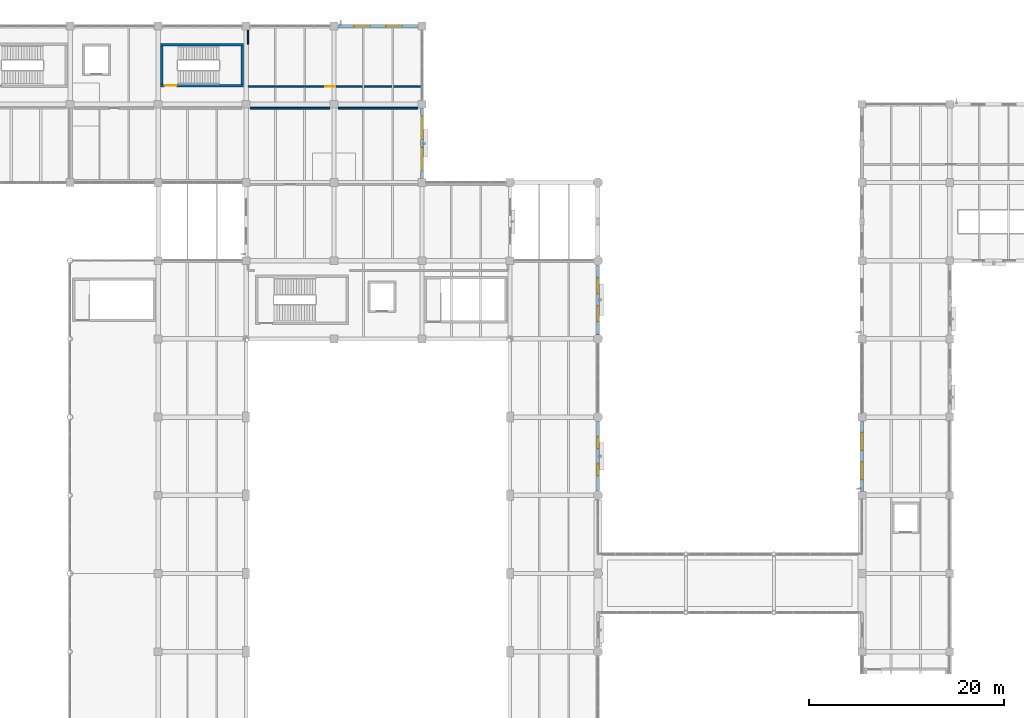
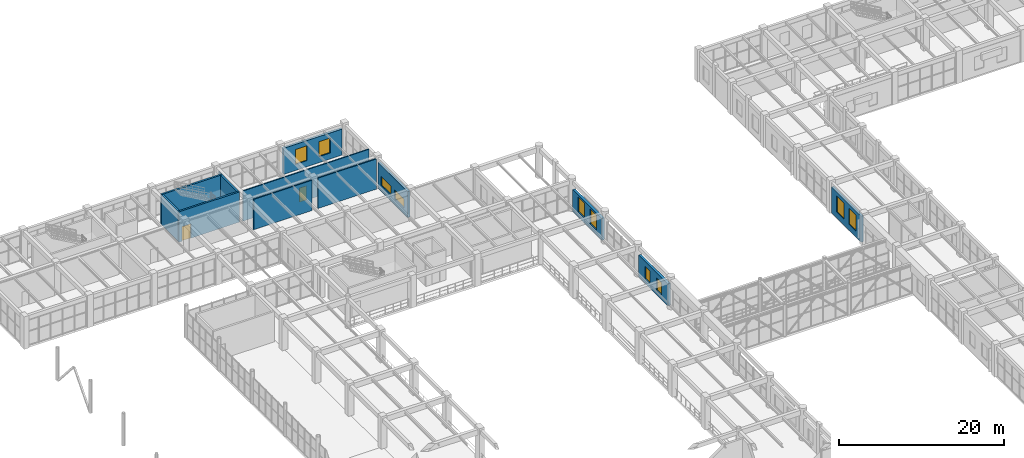
# One storey, part 155 of 178: 13 walls, 10 windows, 2 doors, 12 openings.
"""IFC4 building model written with IfcOpenShell, lengths in metres."""

from ifc_helpers import new_model, si_unit, derived_unit, direction, frame, frame_2d, origin, place, context, subcontext, project, spatial, rectangle, extrude, material, layer, layer_set, type_object, element, fill, save


model = new_model("IFC4")

# Units and contexts
model_context = context("Model", 3, precision=1e-05, world=origin(), true_north=direction((0.0, 1.0)))
body_context = subcontext(model_context, "Body", "Model", "MODEL_VIEW")
ifc_project = project(units=[si_unit("LENGTHUNIT", "METRE"), si_unit("AREAUNIT", "SQUARE_METRE"), si_unit("VOLUMEUNIT", "CUBIC_METRE"), si_unit("PLANEANGLEUNIT", "RADIAN"), si_unit("MASSUNIT", "GRAM", prefix="KILO"), derived_unit("THERMALTRANSMITTANCEUNIT", [(si_unit("MASSUNIT", "GRAM", prefix="KILO"), 1), (si_unit("TIMEUNIT", "SECOND"), -3), (si_unit("THERMODYNAMICTEMPERATUREUNIT", "KELVIN"), -1)])], contexts=[model_context])

# Site, building, storey
site_placement = place(None, origin())
site = spatial("IfcSite", under=ifc_project, at=site_placement, CompositionType="ELEMENT")
building_placement = place(site_placement, origin())
building = spatial("IfcBuilding", under=site, at=building_placement, Name="Zhenchuan Archway Interchange", CompositionType="ELEMENT")
storey_placement = place(building_placement, frame((0.0, 0.0, 5.39990234375)))
storey = spatial("IfcBuildingStorey", under=building, at=storey_placement, Name="L01", CompositionType="ELEMENT", Elevation=5.39990234375)

# Wall, openings, windows
ifc_material_1 = material(Name="Granite Stone Cladding", Category="masonry")
ifc_layer_1 = layer(ifc_material_1, 0.320068359375)
ifc_layer_set_1 = layer_set([ifc_layer_1], Name="Granite Stone Cladding")
wall_type_1 = type_object("IfcWallType", Name="EW_GRANITE_320", PredefinedType="STANDARD", material=ifc_layer_set_1)
wall_1_placement = place(storey_placement, frame((99.0, 64.39794921875, 0.0), z_axis=(0.0, 0.0, 1.0), x_axis=(0.0, 1.0, 0.0)))
wall_1 = element("IfcWall", 1, at=wall_1_placement, inside=storey, type_object=wall_type_1, Name="Exterior wall L01-039", PredefinedType="STANDARD", context=body_context, shape_type="SweptSolid", body=[
    extrude(rectangle(XDim=7.2041015625, YDim=0.320068359375, at=frame_2d((3.60205078125, 0.0))), origin(), (0.0, 0.0, 1.0), 3.860107421875),
])
opening_1_placement = place(wall_1_placement, frame((1.201416015625, 0.0, 0.89990234375)))
opening_1 = element("IfcOpeningElement", 2, at=opening_1_placement, cuts=wall_1, Name="Opening W-03", PredefinedType="OPENING", context=body_context, shape_type="SweptSolid", body=[
    extrude(rectangle(XDim=1.800048828125, YDim=2.39990234375, at=frame_2d((0.89990234375, 1.199951171875))), frame((0.0, 0.171875, 0.0), z_axis=(0.0, -1.0, 0.0), x_axis=(1.0, 0.0, 0.0)), (0.0, 0.0, 1.0), 0.343994140625),
])
opening_2_placement = place(wall_1_placement, frame((4.20263671875, 0.0, 0.89990234375)))
opening_2 = element("IfcOpeningElement", 3, at=opening_2_placement, cuts=wall_1, Name="Opening W-03", PredefinedType="OPENING", context=body_context, shape_type="SweptSolid", body=[
    extrude(rectangle(XDim=1.800048828125, YDim=2.39990234375, at=frame_2d((0.89990234375, 1.199951171875))), frame((0.0, 0.171875, 0.0), z_axis=(0.0, -1.0, 0.0), x_axis=(1.0, 0.0, 0.0)), (0.0, 0.0, 1.0), 0.343994140625),
])
ifc_material_2 = material(Name="Double Low-E Insulated Glazing", Category="glass")
window_type_1 = type_object("IfcWindowType", Name="WN_PUNCH_1800x2400", PartitioningType="SINGLE_PANEL", PredefinedType="WINDOW", material=ifc_material_2)
window_1_placement = place(opening_1_placement, origin())
window_1 = element("IfcWindow", 4, at=window_1_placement, inside=storey, type_object=window_type_1, Name="Window L01-0118", OverallHeight=2.39990234375, OverallWidth=1.800048828125, PartitioningType="SINGLE_PANEL", PredefinedType="WINDOW", context=body_context, shape_type="SweptSolid", body=[
    extrude(rectangle(XDim=1.800048828125, YDim=2.39990234375, at=frame_2d((0.89990234375, 1.199951171875))), frame((0.0, 0.030029296875, 0.0), z_axis=(0.0, -1.0, 0.0), x_axis=(1.0, 0.0, 0.0)), (0.0, 0.0, 1.0), 0.06005859375),
])
fill(opening_1, window_1)
window_2_placement = place(opening_2_placement, origin())
window_2 = element("IfcWindow", 5, at=window_2_placement, inside=storey, type_object=window_type_1, Name="Window L01-0119", OverallHeight=2.39990234375, OverallWidth=1.800048828125, PartitioningType="SINGLE_PANEL", PredefinedType="WINDOW", context=body_context, shape_type="SweptSolid", body=[
    extrude(rectangle(XDim=1.800048828125, YDim=2.39990234375, at=frame_2d((0.89990234375, 1.199951171875))), frame((0.0, 0.030029296875, 0.0), z_axis=(0.0, -1.0, 0.0), x_axis=(1.0, 0.0, 0.0)), (0.0, 0.0, 1.0), 0.06005859375),
])
fill(opening_2, window_2)

ifc_material_3 = material(Name="Terracotta Masonry", Category="masonry")
ifc_layer_2 = layer(ifc_material_3, 0.340087890625)
ifc_layer_set_2 = layer_set([ifc_layer_2], Name="Terracotta Masonry")
wall_type_2 = type_object("IfcWallType", Name="EW_TERRA_340", PredefinedType="STANDARD", material=ifc_layer_set_2)
wall_2_placement = place(storey_placement, frame((45.39794921875, 112.0, 0.0), z_axis=(0.0, 0.0, 1.0), x_axis=(1.0, 0.0, 0.0)))
wall_2 = element("IfcWall", 6, at=wall_2_placement, inside=storey, type_object=wall_type_2, Name="Exterior wall L01-025", PredefinedType="STANDARD", context=body_context, shape_type="SweptSolid", body=[
    extrude(rectangle(XDim=8.2041015625, YDim=0.340087890625, at=frame_2d((4.10205078125, 0.0))), origin(), (0.0, 0.0, 1.0), 3.860107421875),
])
opening_3_placement = place(wall_2_placement, frame((1.66796875, 0.0, 0.89990234375)))
opening_3 = element("IfcOpeningElement", 7, at=opening_3_placement, cuts=wall_2, Name="Opening W-04", PredefinedType="OPENING", context=body_context, shape_type="SweptSolid", body=[
    extrude(rectangle(XDim=1.60009765625, YDim=2.199951171875, at=frame_2d((0.800048828125, 1.10009765625))), frame((0.0, 0.18212890625, 0.0), z_axis=(0.0, -1.0, 0.0), x_axis=(1.0, 0.0, 0.0)), (0.0, 0.0, 1.0), 0.364013671875),
])
opening_4_placement = place(wall_2_placement, frame((4.93603515625, 0.0, 0.89990234375)))
opening_4 = element("IfcOpeningElement", 8, at=opening_4_placement, cuts=wall_2, Name="Opening W-04", PredefinedType="OPENING", context=body_context, shape_type="SweptSolid", body=[
    extrude(rectangle(XDim=1.60009765625, YDim=2.199951171875, at=frame_2d((0.800048828125, 1.10009765625))), frame((0.0, 0.18212890625, 0.0), z_axis=(0.0, -1.0, 0.0), x_axis=(1.0, 0.0, 0.0)), (0.0, 0.0, 1.0), 0.364013671875),
])
window_type_2 = type_object("IfcWindowType", Name="WN_PUNCH_1600x2200", PartitioningType="SINGLE_PANEL", PredefinedType="WINDOW", material=ifc_material_2)
window_3_placement = place(opening_3_placement, origin())
window_3 = element("IfcWindow", 9, at=window_3_placement, inside=storey, type_object=window_type_2, Name="Window L01-0108", OverallHeight=2.199951171875, OverallWidth=1.60009765625, PartitioningType="SINGLE_PANEL", PredefinedType="WINDOW", context=body_context, shape_type="SweptSolid", body=[
    extrude(rectangle(XDim=1.60009765625, YDim=2.199951171875, at=frame_2d((0.800048828125, 1.10009765625))), frame((0.0, 0.030029296875, 0.0), z_axis=(0.0, -1.0, 0.0), x_axis=(1.0, 0.0, 0.0)), (0.0, 0.0, 1.0), 0.06005859375),
])
fill(opening_3, window_3)
window_4_placement = place(opening_4_placement, origin())
window_4 = element("IfcWindow", 10, at=window_4_placement, inside=storey, type_object=window_type_2, Name="Window L01-0109", OverallHeight=2.199951171875, OverallWidth=1.60009765625, PartitioningType="SINGLE_PANEL", PredefinedType="WINDOW", context=body_context, shape_type="SweptSolid", body=[
    extrude(rectangle(XDim=1.60009765625, YDim=2.199951171875, at=frame_2d((0.800048828125, 1.10009765625))), frame((0.0, 0.030029296875, 0.0), z_axis=(0.0, -1.0, 0.0), x_axis=(1.0, 0.0, 0.0)), (0.0, 0.0, 1.0), 0.06005859375),
])
fill(opening_4, window_4)

wall_3_placement = place(storey_placement, frame((54.0, 103.60205078125, 0.0), z_axis=(0.0, 0.0, 1.0), x_axis=(0.0, -1.0, 0.0)))
wall_3 = element("IfcWall", 11, at=wall_3_placement, inside=storey, type_object=wall_type_2, Name="Exterior wall L01-027", PredefinedType="STANDARD", context=body_context, shape_type="SweptSolid", body=[
    extrude(rectangle(XDim=7.2041015625, YDim=0.340087890625, at=frame_2d((3.60205078125, 0.0))), origin(), (0.0, 0.0, 1.0), 3.860107421875),
])
opening_5_placement = place(wall_3_placement, frame((0.80126953125, 0.0, 0.89990234375)))
opening_5 = element("IfcOpeningElement", 12, at=opening_5_placement, cuts=wall_3, Name="Opening W-11", PredefinedType="OPENING", context=body_context, shape_type="SweptSolid", body=[
    extrude(rectangle(XDim=2.39990234375, YDim=1.35009765625, at=frame_2d((1.199951171875, 0.675048828125))), frame((0.0, 0.18212890625, 0.0), z_axis=(0.0, -1.0, 0.0), x_axis=(1.0, 0.0, 0.0)), (0.0, 0.0, 1.0), 0.364013671875),
])
opening_6_placement = place(wall_3_placement, frame((4.002685546875, 0.0, 0.89990234375)))
opening_6 = element("IfcOpeningElement", 13, at=opening_6_placement, cuts=wall_3, Name="Opening W-11", PredefinedType="OPENING", context=body_context, shape_type="SweptSolid", body=[
    extrude(rectangle(XDim=2.39990234375, YDim=1.35009765625, at=frame_2d((1.199951171875, 0.675048828125))), frame((0.0, 0.18212890625, 0.0), z_axis=(0.0, -1.0, 0.0), x_axis=(1.0, 0.0, 0.0)), (0.0, 0.0, 1.0), 0.364013671875),
])
window_type_3 = type_object("IfcWindowType", Name="WN_CLER_2400x1350", PartitioningType="SINGLE_PANEL", PredefinedType="WINDOW", material=ifc_material_2)
window_5_placement = place(opening_5_placement, origin())
window_5 = element("IfcWindow", 14, at=window_5_placement, inside=storey, type_object=window_type_3, Name="Window L01-0110", OverallHeight=1.35009765625, OverallWidth=2.39990234375, PartitioningType="SINGLE_PANEL", PredefinedType="WINDOW", context=body_context, shape_type="SweptSolid", body=[
    extrude(rectangle(XDim=2.39990234375, YDim=1.35009765625, at=frame_2d((1.199951171875, 0.675048828125))), frame((0.0, 0.030029296875, 0.0), z_axis=(0.0, -1.0, 0.0), x_axis=(1.0, 0.0, 0.0)), (0.0, 0.0, 1.0), 0.06005859375),
])
fill(opening_5, window_5)
window_6_placement = place(opening_6_placement, origin())
window_6 = element("IfcWindow", 15, at=window_6_placement, inside=storey, type_object=window_type_3, Name="Window L01-0111", OverallHeight=1.35009765625, OverallWidth=2.39990234375, PartitioningType="SINGLE_PANEL", PredefinedType="WINDOW", context=body_context, shape_type="SweptSolid", body=[
    extrude(rectangle(XDim=2.39990234375, YDim=1.35009765625, at=frame_2d((1.199951171875, 0.675048828125))), frame((0.0, 0.030029296875, 0.0), z_axis=(0.0, -1.0, 0.0), x_axis=(1.0, 0.0, 0.0)), (0.0, 0.0, 1.0), 0.06005859375),
])
fill(opening_6, window_6)

wall_4_placement = place(storey_placement, frame((72.0, 87.528076171875, 0.0), z_axis=(0.0, 0.0, 1.0), x_axis=(0.0, -1.0, 0.0)))
wall_4 = element("IfcWall", 16, at=wall_4_placement, inside=storey, type_object=wall_type_2, Name="Exterior wall L01-031", PredefinedType="STANDARD", context=body_context, shape_type="SweptSolid", body=[
    extrude(rectangle(XDim=7.05615234375, YDim=0.340087890625, at=frame_2d((3.528076171875, 0.0))), origin(), (0.0, 0.0, 1.0), 3.260009765625),
])
opening_7_placement = place(wall_4_placement, frame((1.285400390625, 0.0, 0.75)))
opening_7 = element("IfcOpeningElement", 17, at=opening_7_placement, cuts=wall_4, Name="Opening W-04", PredefinedType="OPENING", context=body_context, shape_type="SweptSolid", body=[
    extrude(rectangle(XDim=1.60009765625, YDim=2.199951171875, at=frame_2d((0.800048828125, 1.10009765625))), frame((0.0, 0.18212890625, 0.0), z_axis=(0.0, -1.0, 0.0), x_axis=(1.0, 0.0, 0.0)), (0.0, 0.0, 1.0), 0.364013671875),
])
opening_8_placement = place(wall_4_placement, frame((4.170654296875, 0.0, 0.75)))
opening_8 = element("IfcOpeningElement", 18, at=opening_8_placement, cuts=wall_4, Name="Opening W-04", PredefinedType="OPENING", context=body_context, shape_type="SweptSolid", body=[
    extrude(rectangle(XDim=1.60009765625, YDim=2.199951171875, at=frame_2d((0.800048828125, 1.10009765625))), frame((0.0, 0.18212890625, 0.0), z_axis=(0.0, -1.0, 0.0), x_axis=(1.0, 0.0, 0.0)), (0.0, 0.0, 1.0), 0.364013671875),
])
window_7_placement = place(opening_7_placement, origin())
window_7 = element("IfcWindow", 19, at=window_7_placement, inside=storey, type_object=window_type_2, Name="Window L01-0114", OverallHeight=2.199951171875, OverallWidth=1.60009765625, PartitioningType="SINGLE_PANEL", PredefinedType="WINDOW", context=body_context, shape_type="SweptSolid", body=[
    extrude(rectangle(XDim=1.60009765625, YDim=2.199951171875, at=frame_2d((0.800048828125, 1.10009765625))), frame((0.0, 0.030029296875, 0.0), z_axis=(0.0, -1.0, 0.0), x_axis=(1.0, 0.0, 0.0)), (0.0, 0.0, 1.0), 0.06005859375),
])
fill(opening_7, window_7)
window_8_placement = place(opening_8_placement, origin())
window_8 = element("IfcWindow", 20, at=window_8_placement, inside=storey, type_object=window_type_2, Name="Window L01-0115", OverallHeight=2.199951171875, OverallWidth=1.60009765625, PartitioningType="SINGLE_PANEL", PredefinedType="WINDOW", context=body_context, shape_type="SweptSolid", body=[
    extrude(rectangle(XDim=1.60009765625, YDim=2.199951171875, at=frame_2d((0.800048828125, 1.10009765625))), frame((0.0, 0.030029296875, 0.0), z_axis=(0.0, -1.0, 0.0), x_axis=(1.0, 0.0, 0.0)), (0.0, 0.0, 1.0), 0.06005859375),
])
fill(opening_8, window_8)

wall_5_placement = place(storey_placement, frame((72.0, 71.528076171875, 0.0), z_axis=(0.0, 0.0, 1.0), x_axis=(0.0, -1.0, 0.0)))
wall_5 = element("IfcWall", 21, at=wall_5_placement, inside=storey, type_object=wall_type_2, Name="Exterior wall L01-033", PredefinedType="STANDARD", context=body_context, shape_type="SweptSolid", body=[
    extrude(rectangle(XDim=7.05615234375, YDim=0.340087890625, at=frame_2d((3.528076171875, 0.0))), origin(), (0.0, 0.0, 1.0), 3.260009765625),
])
opening_9_placement = place(wall_5_placement, frame((1.552001953125, 0.0, 0.699951171875)))
opening_9 = element("IfcOpeningElement", 22, at=opening_9_placement, cuts=wall_5, Name="Opening W-07", PredefinedType="OPENING", context=body_context, shape_type="SweptSolid", body=[
    extrude(rectangle(XDim=1.199951171875, YDim=1.800048828125, at=frame_2d((0.60009765625, 0.89990234375))), frame((0.0, 0.18212890625, 0.0), z_axis=(0.0, -1.0, 0.0), x_axis=(1.0, 0.0, 0.0)), (0.0, 0.0, 1.0), 0.364013671875),
])
opening_10_placement = place(wall_5_placement, frame((4.303955078125, 0.0, 0.699951171875)))
opening_10 = element("IfcOpeningElement", 23, at=opening_10_placement, cuts=wall_5, Name="Opening W-07", PredefinedType="OPENING", context=body_context, shape_type="SweptSolid", body=[
    extrude(rectangle(XDim=1.199951171875, YDim=1.800048828125, at=frame_2d((0.60009765625, 0.89990234375))), frame((0.0, 0.18212890625, 0.0), z_axis=(0.0, -1.0, 0.0), x_axis=(1.0, 0.0, 0.0)), (0.0, 0.0, 1.0), 0.364013671875),
])
window_type_4 = type_object("IfcWindowType", Name="WN_MOD_1200x1800", PartitioningType="SINGLE_PANEL", PredefinedType="WINDOW", material=ifc_material_2)
window_9_placement = place(opening_9_placement, origin())
window_9 = element("IfcWindow", 24, at=window_9_placement, inside=storey, type_object=window_type_4, Name="Window L01-0116", OverallHeight=1.800048828125, OverallWidth=1.199951171875, PartitioningType="SINGLE_PANEL", PredefinedType="WINDOW", context=body_context, shape_type="SweptSolid", body=[
    extrude(rectangle(XDim=1.199951171875, YDim=1.800048828125, at=frame_2d((0.60009765625, 0.89990234375))), frame((0.0, 0.030029296875, 0.0), z_axis=(0.0, -1.0, 0.0), x_axis=(1.0, 0.0, 0.0)), (0.0, 0.0, 1.0), 0.06005859375),
])
fill(opening_9, window_9)
window_10_placement = place(opening_10_placement, origin())
window_10 = element("IfcWindow", 25, at=window_10_placement, inside=storey, type_object=window_type_4, Name="Window L01-0117", OverallHeight=1.800048828125, OverallWidth=1.199951171875, PartitioningType="SINGLE_PANEL", PredefinedType="WINDOW", context=body_context, shape_type="SweptSolid", body=[
    extrude(rectangle(XDim=1.199951171875, YDim=1.800048828125, at=frame_2d((0.60009765625, 0.89990234375))), frame((0.0, 0.030029296875, 0.0), z_axis=(0.0, -1.0, 0.0), x_axis=(1.0, 0.0, 0.0)), (0.0, 0.0, 1.0), 0.06005859375),
])
fill(opening_10, window_10)

# Wall, opening, door
ifc_material_4 = material(Name="Gypsum Plasterboard", Category="gypsum")
ifc_layer_3 = layer(ifc_material_4, 0.14990234375)
ifc_layer_set_3 = layer_set([ifc_layer_3], Name="Gypsum Plasterboard")
wall_type_3 = type_object("IfcWallType", Name="WL_PART_150", PredefinedType="STANDARD", material=ifc_layer_set_3)
wall_6_placement = place(storey_placement, frame((36.199951171875, 105.800048828125, 0.0), z_axis=(0.0, 0.0, 1.0), x_axis=(1.0, 0.0, 0.0)))
wall_6 = element("IfcWall", 26, at=wall_6_placement, inside=storey, type_object=wall_type_3, Name="Regional Coach Advance Ticketing Suite S partition (L01)", PredefinedType="STANDARD", context=body_context, shape_type="SweptSolid", body=[
    extrude(rectangle(XDim=17.625, YDim=0.14990234375, at=frame_2d((8.8125, 0.0))), origin(), (0.0, 0.0, 1.0), 4.47998046875),
])
opening_11_placement = place(wall_6_placement, frame((7.92138671875, 0.0, 0.0)))
opening_11 = element("IfcOpeningElement", 27, at=opening_11_placement, cuts=wall_6, Name="Opening ID-02", PredefinedType="OPENING", context=body_context, shape_type="SweptSolid", body=[
    extrude(rectangle(XDim=1.0, YDim=2.10009765625, at=frame_2d((0.5, 1.050048828125))), frame((0.0, 0.0869140625, 0.0), z_axis=(0.0, -1.0, 0.0), x_axis=(1.0, 0.0, 0.0)), (0.0, 0.0, 1.0), 0.173828125),
])
ifc_material_5 = material(Name="Hardwood Timber", Category="wood")
door_type_1 = type_object("IfcDoorType", Name="DR_OPS_100", OperationType="NOTDEFINED", PredefinedType="DOOR", material=ifc_material_5)
door_1_placement = place(opening_11_placement, origin())
door_1 = element("IfcDoor", 28, at=door_1_placement, inside=storey, type_object=door_type_1, Name="Regional Coach Advance Ticketing Suite door (L01)", OperationType="SINGLE_SWING_RIGHT", OverallHeight=2.10009765625, OverallWidth=1.0, PredefinedType="DOOR", context=body_context, shape_type="SweptSolid", body=[
    extrude(rectangle(XDim=1.0, YDim=2.10009765625, at=frame_2d((0.5, 1.050048828125))), frame((0.0, 0.02490234375, 0.0), z_axis=(0.0, -1.0, 0.0), x_axis=(1.0, 0.0, 0.0)), (0.0, 0.0, 1.0), 0.050048828125),
])
fill(opening_11, door_1)

# Walls
wall_7_placement = place(storey_placement, frame((36.199951171875, 110.125, 0.0), z_axis=(0.0, 0.0, 1.0), x_axis=(0.0, 1.0, 0.0)))
element("IfcWall", 29, at=wall_7_placement, inside=storey, type_object=wall_type_3, Name="Regional Coach Advance Ticketing Suite W partition (L01)", PredefinedType="STANDARD", context=body_context, shape_type="SweptSolid", body=[
    extrude(rectangle(XDim=1.449951171875, YDim=0.14990234375, at=frame_2d((0.72509765625, 0.0))), origin(), (0.0, 0.0, 1.0), 3.860107421875),
])
ifc_material_6 = material(Name="Concrete Block Masonry", Category="masonry")
ifc_layer_4 = layer(ifc_material_6, 0.179931640625)
ifc_layer_set_4 = layer_set([ifc_layer_4], Name="Concrete Block Masonry")
wall_type_4 = type_object("IfcWallType", Name="WL_PART_180", PredefinedType="STANDARD", material=ifc_layer_set_4)
for number, where, z_axis, x_axis, name in (
    (30, (36.425048828125, 103.60009765625, 0.0), (0.0, 0.0, 1.0), (1.0, 0.0, 0.0), "Intercity Coach Quiet Lounge N partition (L01)"),
    (31, (45.425048828125, 103.60009765625, 0.0), (0.0, 0.0, 1.0), (1.0, 0.0, 0.0), "Intercity Coach Quiet Lounge N partition (L01)"),
):
    element("IfcWall", number, at=place(storey_placement, frame(where, z_axis=z_axis, x_axis=x_axis)), inside=storey, type_object=wall_type_4, Name=name, PredefinedType="STANDARD", context=body_context, shape_type="SweptSolid", body=[
        extrude(rectangle(XDim=8.14990234375, YDim=0.179931640625, at=frame_2d((4.074951171875, 0.0))), origin(), (0.0, 0.0, 1.0), 4.47998046875),
    ])

# Wall, opening, door
ifc_material_7 = material(Name="Concrete C40", Category="concrete")
ifc_layer_5 = layer(ifc_material_7, 0.25)
ifc_layer_set_5 = layer_set([ifc_layer_5], Name="Concrete C40")
wall_type_5 = type_object("IfcWallType", Name="WL_STAIR_250", PredefinedType="SHEAR", material=ifc_layer_set_5)
wall_8_placement = place(storey_placement, frame((27.2548828125, 105.89990234375, 0.0), z_axis=(0.0, 0.0, 1.0), x_axis=(1.0, 0.0, 0.0)))
wall_8 = element("IfcWall", 32, at=wall_8_placement, inside=storey, type_object=wall_type_5, Name="Stair ST-W2 south wall (L01)", PredefinedType="SHEAR", context=body_context, shape_type="SweptSolid", body=[
    extrude(rectangle(XDim=8.490234375, YDim=0.25, at=frame_2d((4.2451171875, 0.0))), origin(), (0.0, 0.0, 1.0), 4.47998046875),
])
opening_12_placement = place(wall_8_placement, frame((0.405029296875, 0.0, 0.0)))
opening_12 = element("IfcOpeningElement", 33, at=opening_12_placement, cuts=wall_8, Name="Opening FD-01", PredefinedType="OPENING", context=body_context, shape_type="SweptSolid", body=[
    extrude(rectangle(XDim=1.25, YDim=2.14990234375, at=frame_2d((0.625, 1.074951171875))), frame((0.0, 0.136962890625, 0.0), z_axis=(0.0, -1.0, 0.0), x_axis=(1.0, 0.0, 0.0)), (0.0, 0.0, 1.0), 0.27392578125),
])
ifc_material_8 = material(Name="Painted Galvanised Steel", Category="steel")
door_type_2 = type_object("IfcDoorType", Name="DR_STAIR_FD90", OperationType="NOTDEFINED", PredefinedType="DOOR", material=ifc_material_8)
door_2_placement = place(opening_12_placement, origin())
door_2 = element("IfcDoor", 34, at=door_2_placement, inside=storey, type_object=door_type_2, Name="Stair ST-W2 fire door (L01)", OperationType="SINGLE_SWING_LEFT", OverallHeight=2.14990234375, OverallWidth=1.25, PredefinedType="DOOR", context=body_context, shape_type="SweptSolid", body=[
    extrude(rectangle(XDim=1.25, YDim=2.14990234375, at=frame_2d((0.625, 1.074951171875))), frame((0.0, 0.02490234375, 0.0), z_axis=(0.0, -1.0, 0.0), x_axis=(1.0, 0.0, 0.0)), (0.0, 0.0, 1.0), 0.050048828125),
])
fill(opening_12, door_2)

# Walls
wall_9_placement = place(storey_placement, frame((35.7451171875, 110.10009765625, 0.0), z_axis=(0.0, 0.0, 1.0), x_axis=(-1.0, 0.0, 0.0)))
element("IfcWall", 35, at=wall_9_placement, inside=storey, type_object=wall_type_5, Name="Stair ST-W2 north wall (L01)", PredefinedType="SHEAR", context=body_context, shape_type="SweptSolid", body=[
    extrude(rectangle(XDim=8.490234375, YDim=0.25, at=frame_2d((4.2451171875, 0.0))), origin(), (0.0, 0.0, 1.0), 4.47998046875),
])
for number, where, z_axis, x_axis, name in (
    (36, (27.3798828125, 109.97509765625, 0.0), (0.0, 0.0, 1.0), (0.0, -1.0, 0.0), "Stair ST-W2 west wall (L01)"),
    (37, (35.6201171875, 106.02490234375, 0.0), (0.0, 0.0, 1.0), (0.0, 1.0, 0.0), "Stair ST-W2 east wall (L01)"),
):
    element("IfcWall", number, at=place(storey_placement, frame(where, z_axis=z_axis, x_axis=x_axis)), inside=storey, type_object=wall_type_5, Name=name, PredefinedType="SHEAR", context=body_context, shape_type="SweptSolid", body=[
        extrude(rectangle(XDim=3.9501953125, YDim=0.25, at=frame_2d((1.97509765625, 0.0))), origin(), (0.0, 0.0, 1.0), 4.47998046875),
    ])

save(model, "model.ifc")
